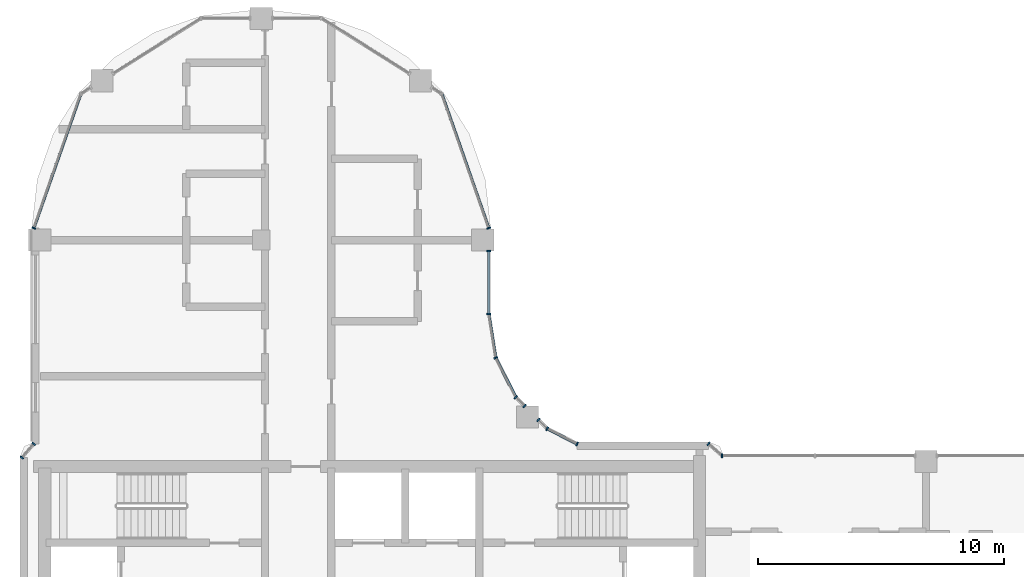
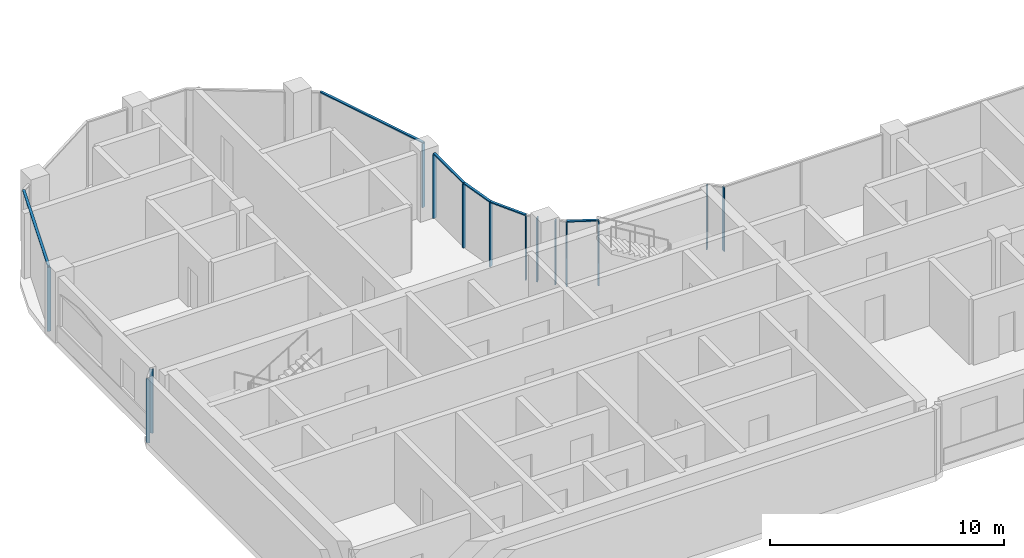
# One storey, part 2 of 17: 20 members, 8 elements without a shape of their own.
"""IFC4 building model written with IfcOpenShell, lengths in metres."""

from ifc_helpers import new_model, si_unit, direction, frame, origin, origin_2d, place, context, subcontext, project, spatial, rectangle, extrude, material, material_profile, profile_set, type_object, element, aggregate, save


model = new_model("IFC4")

# Units and contexts
model_context = context("Model", 3, precision=1e-05, world=origin(), true_north=direction((0.0, 1.0)))
body_context = subcontext(model_context, "Body", "Model", "MODEL_VIEW")
ifc_project = project(units=[si_unit("LENGTHUNIT", "METRE"), si_unit("AREAUNIT", "SQUARE_METRE"), si_unit("VOLUMEUNIT", "CUBIC_METRE"), si_unit("PLANEANGLEUNIT", "RADIAN"), si_unit("MASSUNIT", "GRAM", prefix="KILO")], contexts=[model_context])

# Site, building, storey
site_placement = place(None, origin())
site = spatial("IfcSite", under=ifc_project, at=site_placement, CompositionType="ELEMENT")
building_placement = place(site_placement, origin())
building = spatial("IfcBuilding", under=site, at=building_placement, Name="Ogive Portal Towers", CompositionType="ELEMENT")
storey_placement = place(building_placement, frame((0.0, 0.0, 221.699951171875)))
storey = spatial("IfcBuildingStorey", under=building, at=storey_placement, Name="L55", CompositionType="ELEMENT", Elevation=221.699951171875)

# Curtain wall, members
ifc_material_1 = material(Name="Glass, clear low-iron insulated glazing", Category="glass")
curtain_wall_type = type_object("IfcCurtainWallType", Name="CW FRONT RIBBON 4500", PredefinedType="NOTDEFINED", material=ifc_material_1)
curtain_wall_1_placement = place(storey_placement, origin())
curtain_wall_1 = element("IfcCurtainWall", 1, at=curtain_wall_1_placement, inside=storey, type_object=curtain_wall_type, Name="A:L55:f06:cw0", PredefinedType="NOTDEFINED")
ifc_material_2 = material(Name="Aluminium 6063 anodised", Category="aluminium")
ifc_material_profile_1 = material_profile(ifc_material_2, rectangle(XDim=0.159912109375, YDim=0.06005859375, at=origin_2d()), Name="AL 60x160")
ifc_profile_set_1 = profile_set([ifc_material_profile_1], Name="Aluminium 6063 anodised")
member_type_1 = type_object("IfcMemberType", Name="CW MULLION 60x160", PredefinedType="MULLION", material=ifc_profile_set_1)
member_1_placement = place(storey_placement, frame((49.739990234375, 45.49365234375, 0.0), z_axis=(0.0, 0.0, 1.0), x_axis=(-1.0, 0.0, 0.0)))
member_1 = element("IfcMember", 2, at=member_1_placement, type_object=member_type_1, Name="mullion", PredefinedType="MULLION", context=body_context, shape_type="SweptSolid", body=[
    extrude(rectangle(XDim=0.159912109375, YDim=0.06005859375, at=origin_2d()), origin(), (0.0, 0.0, 1.0), 3.340087890625),
])
member_2_placement = place(storey_placement, frame((49.739990234375, 48.050048828125, 0.0), z_axis=(0.0, 0.0, 1.0), x_axis=(-1.0, 0.0, 0.0)))
member_2 = element("IfcMember", 3, at=member_2_placement, type_object=member_type_1, Name="mullion", PredefinedType="MULLION", context=body_context, shape_type="SweptSolid", body=[
    extrude(rectangle(XDim=0.159912109375, YDim=0.06005859375, at=origin_2d()), origin(), (0.0, 0.0, 1.0), 3.340087890625),
])

# Curtain wall, member
curtain_wall_2_placement = place(storey_placement, origin())
curtain_wall_2 = element("IfcCurtainWall", 4, at=curtain_wall_2_placement, inside=storey, type_object=curtain_wall_type, Name="A:L55:f26:cw0~3", PredefinedType="NOTDEFINED")
member_3_placement = place(storey_placement, frame((59.22021484375, 39.739990234375, 0.0), z_axis=(0.0, 0.0, 1.0), x_axis=(0.0, -1.0, 0.0)))
member_3 = element("IfcMember", 5, at=member_3_placement, type_object=member_type_1, Name="mullion", PredefinedType="MULLION", context=body_context, shape_type="SweptSolid", body=[
    extrude(rectangle(XDim=0.159912109375, YDim=0.06005859375, at=origin_2d()), origin(), (0.0, 0.0, 1.0), 3.340087890625),
])
aggregate(curtain_wall_2, [member_3])

curtain_wall_3_placement = place(storey_placement, origin())
curtain_wall_3 = element("IfcCurtainWall", 6, at=curtain_wall_3_placement, inside=storey, type_object=curtain_wall_type, Name="A:L55:f00:cwa", PredefinedType="NOTDEFINED")
member_4_placement = place(storey_placement, frame((58.669921875, 40.219970703125, 0.0), z_axis=(0.0, 0.0, 1.0), x_axis=(-0.657334513087, -0.753598923768, 0.0)))
member_4 = element("IfcMember", 7, at=member_4_placement, type_object=member_type_1, Name="mullion", PredefinedType="MULLION", context=body_context, shape_type="SweptSolid", body=[
    extrude(rectangle(XDim=0.159912109375, YDim=0.06005859375, at=origin_2d()), origin(), (0.0, 0.0, 1.0), 3.340087890625),
])
aggregate(curtain_wall_3, [member_4])

# Curtain wall, members
curtain_wall_4_placement = place(storey_placement, origin())
curtain_wall_4 = element("IfcCurtainWall", 8, at=curtain_wall_4_placement, inside=storey, type_object=curtain_wall_type, Name="A:L55:f02:cwa~0", PredefinedType="NOTDEFINED")
member_5_placement = place(storey_placement, frame((53.3291015625, 40.219970703125, 0.0), z_axis=(0.0, 0.0, 1.0), x_axis=(-0.45399049974, -0.891006524188, 0.0)))
member_5 = element("IfcMember", 9, at=member_5_placement, type_object=member_type_1, Name="mullion", PredefinedType="MULLION", context=body_context, shape_type="SweptSolid", body=[
    extrude(rectangle(XDim=0.159912109375, YDim=0.06005859375, at=origin_2d()), origin(), (0.0, 0.0, 1.0), 3.340087890625),
])
member_6_placement = place(storey_placement, frame((52.11376953125, 40.83935546875, 0.0), z_axis=(0.0, 0.0, 1.0), x_axis=(-0.45399049974, -0.891006524188, 0.0)))
member_6 = element("IfcMember", 10, at=member_6_placement, type_object=member_type_1, Name="mullion", PredefinedType="MULLION", context=body_context, shape_type="SweptSolid", body=[
    extrude(rectangle(XDim=0.159912109375, YDim=0.06005859375, at=origin_2d()), origin(), (0.0, 0.0, 1.0), 3.340087890625),
])
member_7_placement = place(storey_placement, frame((51.760009765625, 41.193115234375, 0.0), z_axis=(0.0, 0.0, 1.0), x_axis=(-0.707106781187, -0.707106781187, 0.0)))
member_7 = element("IfcMember", 11, at=member_7_placement, type_object=member_type_1, Name="mullion", PredefinedType="MULLION", context=body_context, shape_type="SweptSolid", body=[
    extrude(rectangle(XDim=0.159912109375, YDim=0.06005859375, at=origin_2d()), origin(), (0.0, 0.0, 1.0), 3.340087890625),
])

curtain_wall_5_placement = place(storey_placement, origin())
curtain_wall_5 = element("IfcCurtainWall", 12, at=curtain_wall_5_placement, inside=storey, type_object=curtain_wall_type, Name="A:L55:f02:cwa~1", PredefinedType="NOTDEFINED")
member_8_placement = place(storey_placement, frame((51.193115234375, 41.760009765625, 0.0), z_axis=(0.0, 0.0, 1.0), x_axis=(-0.707106781187, -0.707106781187, 0.0)))
member_8 = element("IfcMember", 13, at=member_8_placement, type_object=member_type_1, Name="mullion", PredefinedType="MULLION", context=body_context, shape_type="SweptSolid", body=[
    extrude(rectangle(XDim=0.159912109375, YDim=0.06005859375, at=origin_2d()), origin(), (0.0, 0.0, 1.0), 3.340087890625),
])
member_9_placement = place(storey_placement, frame((50.83935546875, 42.11376953125, 0.0), z_axis=(0.0, 0.0, 1.0), x_axis=(-0.707106781187, -0.707106781187, 0.0)))
member_9 = element("IfcMember", 14, at=member_9_placement, type_object=member_type_1, Name="mullion", PredefinedType="MULLION", context=body_context, shape_type="SweptSolid", body=[
    extrude(rectangle(XDim=0.159912109375, YDim=0.06005859375, at=origin_2d()), origin(), (0.0, 0.0, 1.0), 3.340087890625),
])
member_10_placement = place(storey_placement, frame((50.02099609375, 43.7197265625, 0.0), z_axis=(0.0, 0.0, 1.0), x_axis=(-0.891006524188, -0.45399049974, 0.0)))
member_10 = element("IfcMember", 15, at=member_10_placement, type_object=member_type_1, Name="mullion", PredefinedType="MULLION", context=body_context, shape_type="SweptSolid", body=[
    extrude(rectangle(XDim=0.159912109375, YDim=0.06005859375, at=origin_2d()), origin(), (0.0, 0.0, 1.0), 3.340087890625),
])

# Curtain wall, member
curtain_wall_6_placement = place(storey_placement, origin())
curtain_wall_6 = element("IfcCurtainWall", 16, at=curtain_wall_6_placement, inside=storey, type_object=curtain_wall_type, Name="A:L55:f07:cwa~0", PredefinedType="NOTDEFINED")
member_11_placement = place(storey_placement, frame((49.739990234375, 48.986328125, 0.0), z_axis=(0.0, 0.0, 1.0), x_axis=(-0.943883330307, -0.33027906196, 0.0)))
member_11 = element("IfcMember", 17, at=member_11_placement, type_object=member_type_1, Name="mullion", PredefinedType="MULLION", context=body_context, shape_type="SweptSolid", body=[
    extrude(rectangle(XDim=0.159912109375, YDim=0.06005859375, at=origin_2d()), origin(), (0.0, 0.0, 1.0), 3.340087890625),
])

curtain_wall_7_placement = place(storey_placement, origin())
curtain_wall_7 = element("IfcCurtainWall", 18, at=curtain_wall_7_placement, inside=storey, type_object=curtain_wall_type, Name="A:L55:f07:cwa~3", PredefinedType="NOTDEFINED")
member_12_placement = place(storey_placement, frame((31.260009765625, 48.986328125, 0.0), z_axis=(0.0, 0.0, 1.0), x_axis=(0.943883330307, -0.33027906196, 0.0)))
member_12 = element("IfcMember", 19, at=member_12_placement, type_object=member_type_1, Name="mullion", PredefinedType="MULLION", context=body_context, shape_type="SweptSolid", body=[
    extrude(rectangle(XDim=0.159912109375, YDim=0.06005859375, at=origin_2d()), origin(), (0.0, 0.0, 1.0), 3.340087890625),
])

# Curtain wall, members
curtain_wall_8_placement = place(storey_placement, origin())
curtain_wall_8 = element("IfcCurtainWall", 20, at=curtain_wall_8_placement, inside=storey, type_object=curtain_wall_type, Name="A:L55:f13:cwa", PredefinedType="NOTDEFINED")
member_13_placement = place(storey_placement, frame((31.260009765625, 40.22021484375, 0.0), z_axis=(0.0, 0.0, 1.0), x_axis=(0.753598923768, -0.657334513087, 0.0)))
member_13 = element("IfcMember", 21, at=member_13_placement, type_object=member_type_1, Name="mullion", PredefinedType="MULLION", context=body_context, shape_type="SweptSolid", body=[
    extrude(rectangle(XDim=0.159912109375, YDim=0.06005859375, at=origin_2d()), origin(), (0.0, 0.0, 1.0), 3.340087890625),
])
member_14_placement = place(storey_placement, frame((30.780029296875, 39.669921875, 0.0), z_axis=(0.0, 0.0, 1.0), x_axis=(0.753598923768, -0.657334513087, 0.0)))
member_14 = element("IfcMember", 22, at=member_14_placement, type_object=member_type_1, Name="mullion", PredefinedType="MULLION", context=body_context, shape_type="SweptSolid", body=[
    extrude(rectangle(XDim=0.159912109375, YDim=0.06005859375, at=origin_2d()), origin(), (0.0, 0.0, 1.0), 3.340087890625),
])
aggregate(curtain_wall_8, [member_13, member_14])

# Member
ifc_material_profile_2 = material_profile(ifc_material_2, rectangle(XDim=0.1201171875, YDim=0.06005859375, at=origin_2d()), Name="AL 120x60")
ifc_profile_set_2 = profile_set([ifc_material_profile_2], Name="Aluminium 6063 anodised")
member_type_2 = type_object("IfcMemberType", Name="CW TRANSOM 60x120", PredefinedType="USERDEFINED", material=ifc_profile_set_2)
member_15_placement = place(storey_placement, frame((49.739990234375, 45.49365234375, 3.3701171875), z_axis=(0.0, 1.0, 0.0), x_axis=(-1.0, 0.0, 0.0)))
member_15 = element("IfcMember", 23, at=member_15_placement, type_object=member_type_2, Name="transom", ObjectType="TRANSOM", PredefinedType="USERDEFINED", context=body_context, shape_type="SweptSolid", body=[
    extrude(rectangle(XDim=0.1201171875, YDim=0.06005859375, at=origin_2d()), origin(), (0.0, 0.0, 1.0), 2.556396484375),
])

aggregate(curtain_wall_1, [member_15, member_1, member_2])

member_16_placement = place(storey_placement, frame((53.3291015625, 40.219970703125, 3.3701171875), z_axis=(-0.890964361459, 0.454073239257, 0.0), x_axis=(-0.454073239257, -0.890964361459, 0.0)))
member_16 = element("IfcMember", 24, at=member_16_placement, type_object=member_type_2, Name="transom", ObjectType="TRANSOM", PredefinedType="USERDEFINED", context=body_context, shape_type="SweptSolid", body=[
    extrude(rectangle(XDim=0.1201171875, YDim=0.06005859375, at=origin_2d()), origin(), (0.0, 0.0, 1.0), 1.364013671875),
])

aggregate(curtain_wall_4, [member_16, member_5, member_6, member_7])

member_17_placement = place(storey_placement, frame((50.83935546875, 42.11376953125, 3.3701171875), z_axis=(-0.45402723172, 0.890987807356, 0.0), x_axis=(-0.890987807356, -0.45402723172, 0.0)))
member_17 = element("IfcMember", 25, at=member_17_placement, type_object=member_type_2, Name="transom", ObjectType="TRANSOM", PredefinedType="USERDEFINED", context=body_context, shape_type="SweptSolid", body=[
    extrude(rectangle(XDim=0.1201171875, YDim=0.06005859375, at=origin_2d()), origin(), (0.0, 0.0, 1.0), 1.802490234375),
])

member_18_placement = place(storey_placement, frame((50.02099609375, 43.7197265625, 3.3701171875), z_axis=(-0.156458155909, 0.987684588039, 0.0), x_axis=(-0.987684588039, -0.156458155909, 0.0)))
member_18 = element("IfcMember", 26, at=member_18_placement, type_object=member_type_2, Name="transom", ObjectType="TRANSOM", PredefinedType="USERDEFINED", context=body_context, shape_type="SweptSolid", body=[
    extrude(rectangle(XDim=0.1201171875, YDim=0.06005859375, at=origin_2d()), origin(), (0.0, 0.0, 1.0), 1.796142578125),
])

aggregate(curtain_wall_5, [member_17, member_18, member_8, member_9, member_10])

member_19_placement = place(storey_placement, frame((49.739990234375, 48.986328125, 3.3701171875), z_axis=(-0.330260183701, 0.943889935883, 0.0), x_axis=(-0.943889935883, -0.330260183701, 0.0)))
member_19 = element("IfcMember", 27, at=member_19_placement, type_object=member_type_2, Name="transom", ObjectType="TRANSOM", PredefinedType="USERDEFINED", context=body_context, shape_type="SweptSolid", body=[
    extrude(rectangle(XDim=0.1201171875, YDim=0.06005859375, at=origin_2d()), origin(), (0.0, 0.0, 1.0), 5.784423828125),
])

aggregate(curtain_wall_6, [member_19, member_11])

member_20_placement = place(storey_placement, frame((33.17041015625, 54.4462890625, 3.3701171875), z_axis=(-0.330260183701, -0.943889935883, 0.0), x_axis=(0.943889935883, -0.330260183701, 0.0)))
member_20 = element("IfcMember", 28, at=member_20_placement, type_object=member_type_2, Name="transom", ObjectType="TRANSOM", PredefinedType="USERDEFINED", context=body_context, shape_type="SweptSolid", body=[
    extrude(rectangle(XDim=0.1201171875, YDim=0.06005859375, at=origin_2d()), origin(), (0.0, 0.0, 1.0), 5.784423828125),
])

aggregate(curtain_wall_7, [member_20, member_12])

save(model, "model.ifc")
